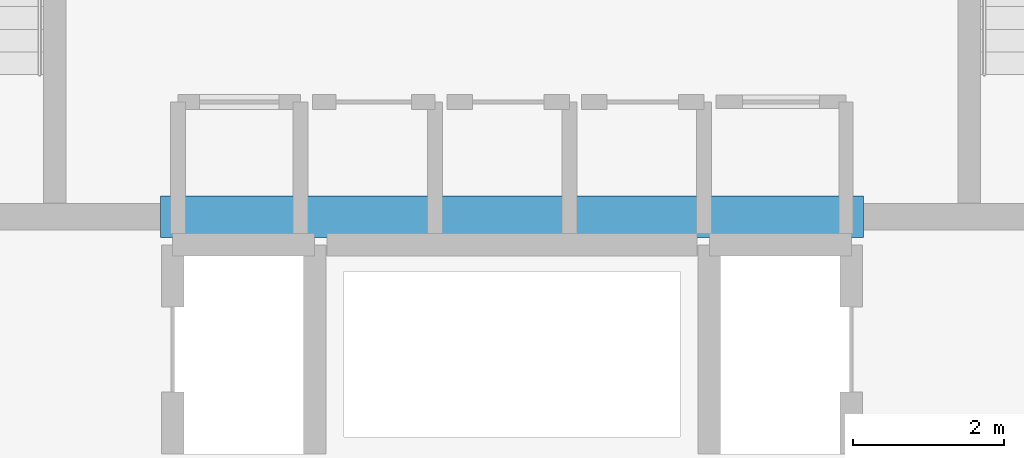
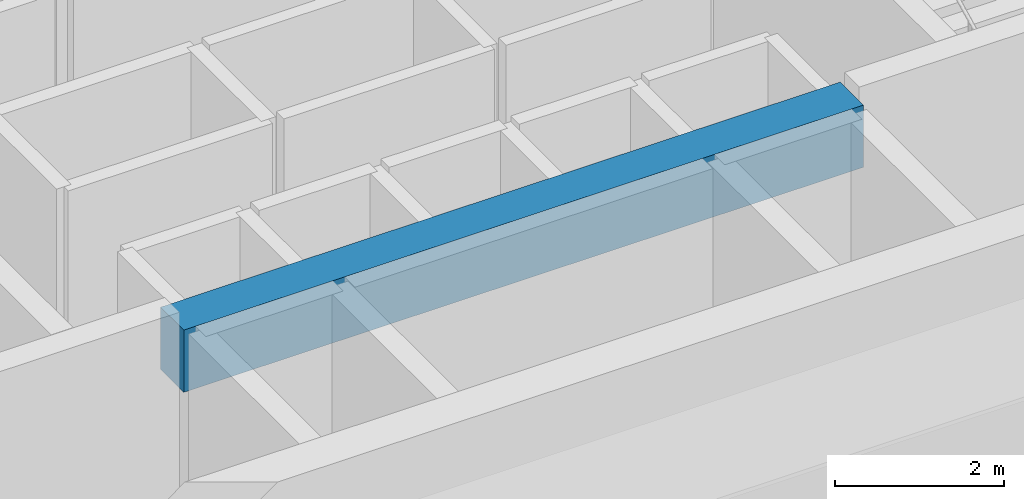
# One storey, part 10 of 41: 1 beam.
"""IFC4 building model written with IfcOpenShell, lengths in metres."""

from ifc_helpers import new_model, si_unit, direction, frame, origin, origin_2d, place, context, subcontext, project, spatial, rectangle, extrude, material, material_profile, profile_set, type_object, element, save


model = new_model("IFC4")

# Units and contexts
model_context = context("Model", 3, precision=1e-05, world=origin(), true_north=direction((0.0, 1.0)))
body_context = subcontext(model_context, "Body", "Model", "MODEL_VIEW")
ifc_project = project(units=[si_unit("LENGTHUNIT", "METRE"), si_unit("AREAUNIT", "SQUARE_METRE"), si_unit("VOLUMEUNIT", "CUBIC_METRE"), si_unit("PLANEANGLEUNIT", "RADIAN"), si_unit("MASSUNIT", "GRAM", prefix="KILO")], contexts=[model_context])

# Site, building, storey
site_placement = place(None, origin())
site = spatial("IfcSite", under=ifc_project, at=site_placement, CompositionType="ELEMENT")
building_placement = place(site_placement, origin())
building = spatial("IfcBuilding", under=site, at=building_placement, Name="Punatoya Terracotta Tower", CompositionType="ELEMENT")
storey_placement = place(building_placement, frame((0.0, 0.0, 288.0)))
storey = spatial("IfcBuildingStorey", under=building, at=storey_placement, Name="L68", CompositionType="ELEMENT", Elevation=288.0)

# Beam
ifc_material = material(Name="Concrete C50/60", Category="concrete")
ifc_material_profile = material_profile(ifc_material, rectangle(XDim=0.550048828125, YDim=0.89990234375, at=origin_2d()))
ifc_profile_set = profile_set([ifc_material_profile], Name="Concrete C50/60")
beam_type = type_object("IfcBeamType", Name="BM-RC-900", PredefinedType="LINTEL", material=ifc_profile_set)
beam_placement = place(storey_placement, frame((-4.64990234375, -5.679931640625, 3.550048828125), z_axis=(1.0, 0.0, 0.0), x_axis=(0.0, 1.0, 0.0)))
element("IfcBeam", 1, at=beam_placement, inside=storey, type_object=beam_type, Name="L68 Core Coupling Lintel CSW", PredefinedType="LINTEL", context=body_context, shape_type="SweptSolid", body=[
    extrude(rectangle(XDim=0.550048828125, YDim=0.89990234375, at=origin_2d()), origin(), (0.0, 0.0, 1.0), 9.2998046875),
])

save(model, "model.ifc")
